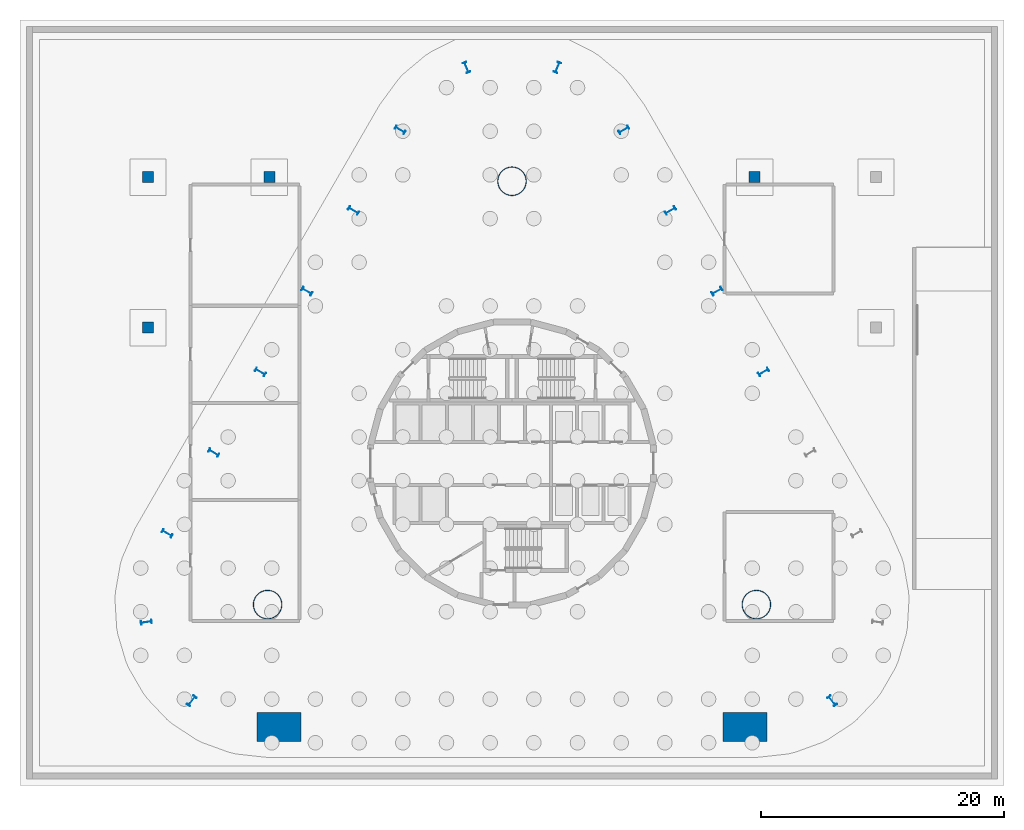
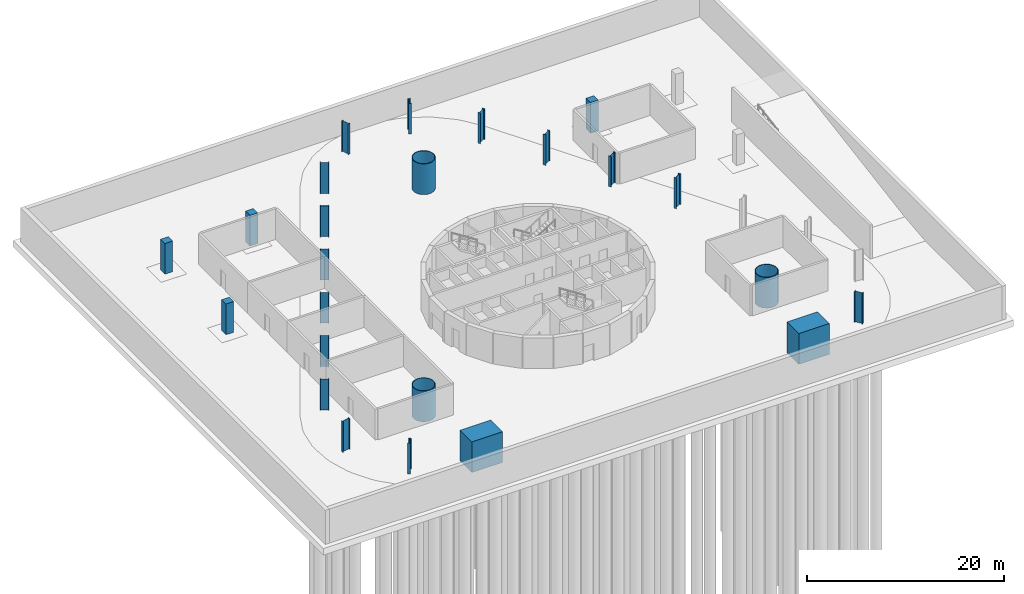
# One storey, part 2 of 11: 24 columns.
"""IFC4 building model written with IfcOpenShell, lengths in metres."""

from ifc_helpers import new_model, si_unit, direction, frame, origin, origin_2d, place, context, subcontext, project, spatial, rectangle, hollow_circle, i_section, extrude, material, material_profile, profile_set, type_object, element, save


model = new_model("IFC4")

# Units and contexts
model_context = context("Model", 3, precision=1e-05, world=origin(), true_north=direction((0.0, 1.0)))
body_context = subcontext(model_context, "Body", "Model", "MODEL_VIEW")
ifc_project = project(units=[si_unit("LENGTHUNIT", "METRE"), si_unit("AREAUNIT", "SQUARE_METRE"), si_unit("VOLUMEUNIT", "CUBIC_METRE"), si_unit("PLANEANGLEUNIT", "RADIAN"), si_unit("MASSUNIT", "GRAM", prefix="KILO")], contexts=[model_context])

# Site, building, storey
site_placement = place(None, origin())
site = spatial("IfcSite", under=ifc_project, at=site_placement, CompositionType="ELEMENT")
building_placement = place(site_placement, origin())
building = spatial("IfcBuilding", under=site, at=building_placement, Name="Spindle Arch Residences", CompositionType="ELEMENT")
storey_placement = place(building_placement, frame((0.0, 0.0, -8.39990234375)))
storey = spatial("IfcBuildingStorey", under=building, at=storey_placement, Name="B2", CompositionType="ELEMENT", Elevation=-8.39990234375)

# Columns
ifc_material_1 = material(Name="Concrete C50/60", Category="concrete")
ifc_material_profile_1 = material_profile(ifc_material_1, rectangle(XDim=3.60009765625, YDim=2.39990234375, at=origin_2d()), Name="RC 3600x2400")
ifc_profile_set_1 = profile_set([ifc_material_profile_1], Name="Concrete C50/60")
column_type_1 = type_object("IfcColumnType", Name="Arcade pier RC 3600x2400", PredefinedType="COLUMN", material=ifc_profile_set_1)
for number, where, z_axis, x_axis, name in (
    (1, (-19.2001953125, -21.72998046875, 0.0), (0.0, 0.0, 1.0), (1.0, 0.0, 0.0), "Arcade pier W"),
    (2, (19.2001953125, -21.72998046875, 0.0), (0.0, 0.0, 1.0), (1.0, 0.0, 0.0), "Arcade pier E"),
):
    element("IfcColumn", number, at=place(storey_placement, frame(where, z_axis=z_axis, x_axis=x_axis)), inside=storey, type_object=column_type_1, Name=name, PredefinedType="COLUMN", context=body_context, shape_type="SweptSolid", body=[
        extrude(rectangle(XDim=3.60009765625, YDim=2.39990234375, at=origin_2d()), origin(), (0.0, 0.0, 1.0), 3.81982421875),
    ])
ifc_material_2 = material(Name="Concrete C50/60", Category="concrete")
ifc_material_profile_2 = material_profile(ifc_material_2, rectangle(XDim=0.89990234375, YDim=0.89990234375, at=origin_2d()), Name="RC 900x900")
ifc_profile_set_2 = profile_set([ifc_material_profile_2], Name="Concrete C50/60")
column_type_2 = type_object("IfcColumnType", Name="Basement column RC 900x900", PredefinedType="COLUMN", material=ifc_profile_set_2)
for number, where, z_axis, x_axis, name in (
    (3, (-30.0, 11.199951171875, 0.0), (0.0, 0.0, 1.0), (1.0, 0.0, 0.0), "Basement column 000"),
    (4, (-30.0, 23.60009765625, 0.0), (0.0, 0.0, 1.0), (1.0, 0.0, 0.0), "Basement column 001"),
    (5, (-20.0, 23.60009765625, 0.0), (0.0, 0.0, 1.0), (1.0, 0.0, 0.0), "Basement column 002"),
    (6, (20.0, 23.60009765625, 0.0), (0.0, 0.0, 1.0), (1.0, 0.0, 0.0), "Basement column 003"),
):
    element("IfcColumn", number, at=place(storey_placement, frame(where, z_axis=z_axis, x_axis=x_axis)), inside=storey, type_object=column_type_2, Name=name, PredefinedType="COLUMN", context=body_context, shape_type="SweptSolid", body=[
        extrude(rectangle(XDim=0.89990234375, YDim=0.89990234375, at=origin_2d()), origin(), (0.0, 0.0, 1.0), 3.81982421875),
    ])
ifc_material_3 = material(Name="Steel S460ML, intumescent coating R 240", Category="steel")
ifc_material_profile_3 = material_profile(ifc_material_3, i_section(OverallWidth=0.300048828125, OverallDepth=0.89990234375, WebThickness=0.0185546875, FlangeThickness=0.034912109375, FilletRadius=0.030029296875, at=origin_2d()), Name="HEB 900")
ifc_profile_set_3 = profile_set([ifc_material_profile_3], Name="Steel S460ML, intumescent coating R 240")
column_type_3 = type_object("IfcColumnType", Name="Exoskeleton post HEB 900", PredefinedType="COLUMN", material=ifc_profile_set_3)
for number, where, z_axis, x_axis, name in (
    (7, (26.3916015625, -19.565185546875, 0.0), (0.0, 0.0, 1.0), (-0.7856835335, -0.618628632693, 0.0), "Exoskeleton post 4"),
    (8, (20.73876953125, 7.539306640625, 0.0), (0.0, 0.0, 1.0), (0.50000017485, -0.866025302835, 0.0), "Exoskeleton post 8"),
    (9, (16.898681640625, 14.1904296875, 0.0), (0.0, 0.0, 1.0), (0.50000017485, -0.866025302835, 0.0), "Exoskeleton post 9"),
    (10, (13.05859375, 20.841796875, 0.0), (0.0, 0.0, 1.0), (0.50000017485, -0.866025302835, 0.0), "Exoskeleton post 10"),
    (11, (9.218505859375, 27.492919921875, 0.0), (0.0, 0.0, 1.0), (0.50000017485, -0.866025302835, 0.0), "Exoskeleton post 11"),
    (12, (3.748291015625, 32.638671875, 0.0), (0.0, 0.0, 1.0), (0.928589751246, -0.371107900591, 0.0), "Exoskeleton post 12"),
    (13, (-3.748291015625, 32.638671875, 0.0), (0.0, 0.0, 1.0), (0.928589751246, 0.371107900591, 0.0), "Exoskeleton post 13"),
    (14, (-9.218505859375, 27.492919921875, 0.0), (0.0, 0.0, 1.0), (0.50000017485, 0.866025302835, 0.0), "Exoskeleton post 14"),
    (15, (-13.05859375, 20.841796875, 0.0), (0.0, 0.0, 1.0), (0.50000017485, 0.866025302835, 0.0), "Exoskeleton post 15"),
    (16, (-16.898681640625, 14.1904296875, 0.0), (0.0, 0.0, 1.0), (0.50000017485, 0.866025302835, 0.0), "Exoskeleton post 16"),
    (17, (-20.73876953125, 7.539306640625, 0.0), (0.0, 0.0, 1.0), (0.50000017485, 0.866025302835, 0.0), "Exoskeleton post 17"),
    (18, (-24.57861328125, 0.88818359375, 0.0), (0.0, 0.0, 1.0), (0.50000017485, 0.866025302835, 0.0), "Exoskeleton post 18"),
    (19, (-28.418701171875, -5.762939453125, 0.0), (0.0, 0.0, 1.0), (0.50000017485, 0.866025302835, 0.0), "Exoskeleton post 19"),
    (20, (-30.139892578125, -13.0732421875, 0.0), (0.0, 0.0, 1.0), (-0.142906037553, 0.989736260036, 0.0), "Exoskeleton post 20"),
    (21, (-26.3916015625, -19.565185546875, 0.0), (0.0, 0.0, 1.0), (-0.7856835335, 0.618628632693, 0.0), "Exoskeleton post 21"),
):
    element("IfcColumn", number, at=place(storey_placement, frame(where, z_axis=z_axis, x_axis=x_axis)), inside=storey, type_object=column_type_3, Name=name, PredefinedType="COLUMN", context=body_context, shape_type="SweptSolid", body=[
        extrude(i_section(OverallWidth=0.300048828125, OverallDepth=0.89990234375, WebThickness=0.0185546875, FlangeThickness=0.034912109375, FilletRadius=0.030029296875, at=origin_2d()), origin(), (0.0, 0.0, 1.0), 3.81982421875),
    ])
ifc_material_4 = material(Name="Concrete C50/60 filled steel tube S460ML, intumescent coating R 240", Category="concrete")
ifc_material_profile_4 = material_profile(ifc_material_4, hollow_circle(Radius=1.199951171875, WallThickness=0.06005859375, at=origin_2d()), Name="CFT D2400x60")
ifc_profile_set_4 = profile_set([ifc_material_profile_4], Name="Concrete C50/60 filled steel tube S460ML, intumescent coating R 240")
column_type_4 = type_object("IfcColumnType", Name="Mega-column CFT D2400x60", PredefinedType="COLUMN", material=ifc_profile_set_4)
for number, where, z_axis, x_axis, name in (
    (22, (20.1435546875, -11.6298828125, 0.0), (0.0, 0.0, 1.0), (1.0, 0.0, 0.0), "Mega-column 1"),
    (23, (0.0, 23.259765625, 0.0), (0.0, 0.0, 1.0), (1.0, 0.0, 0.0), "Mega-column 2"),
    (24, (-20.1435546875, -11.6298828125, 0.0), (0.0, 0.0, 1.0), (1.0, 0.0, 0.0), "Mega-column 3"),
):
    element("IfcColumn", number, at=place(storey_placement, frame(where, z_axis=z_axis, x_axis=x_axis)), inside=storey, type_object=column_type_4, Name=name, PredefinedType="COLUMN", context=body_context, shape_type="SweptSolid", body=[
        extrude(hollow_circle(Radius=1.199951171875, WallThickness=0.06005859375, at=origin_2d()), origin(), (0.0, 0.0, 1.0), 3.81982421875),
    ])

save(model, "model.ifc")
